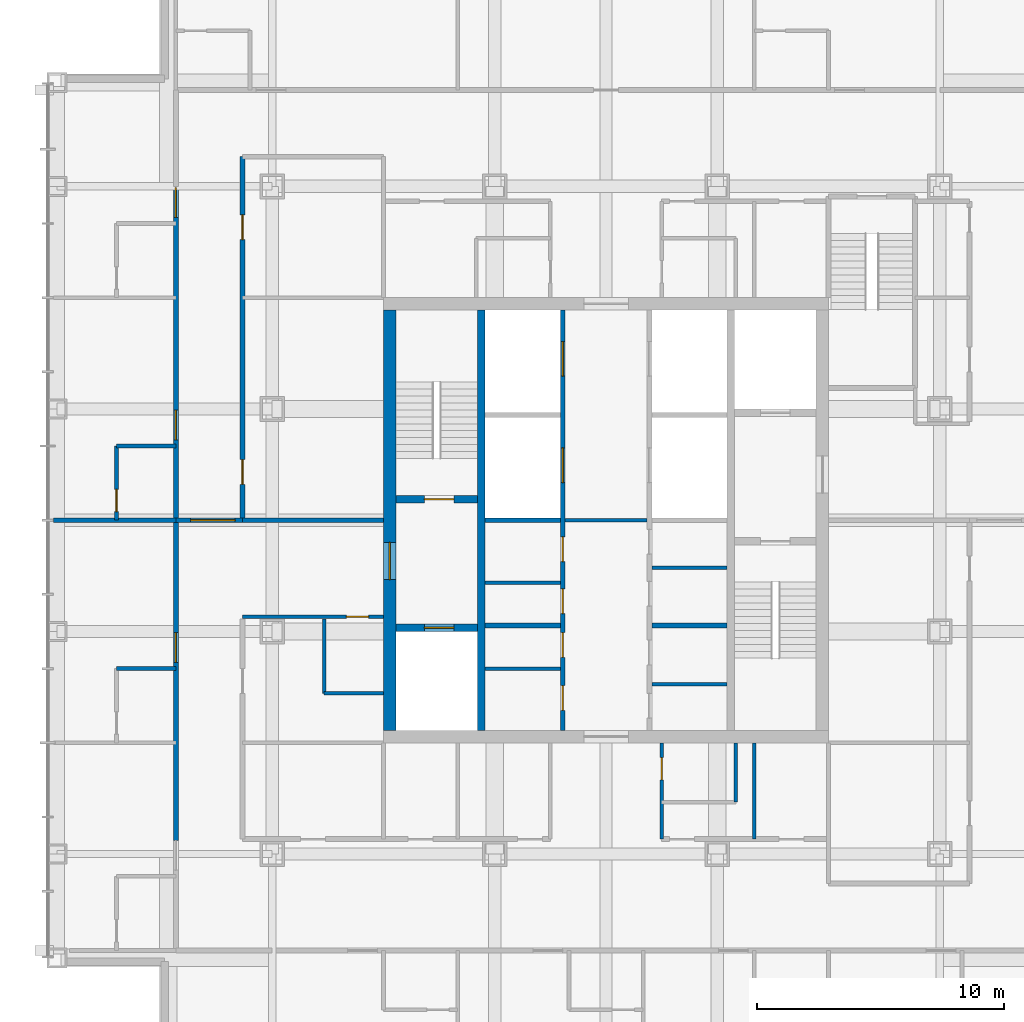
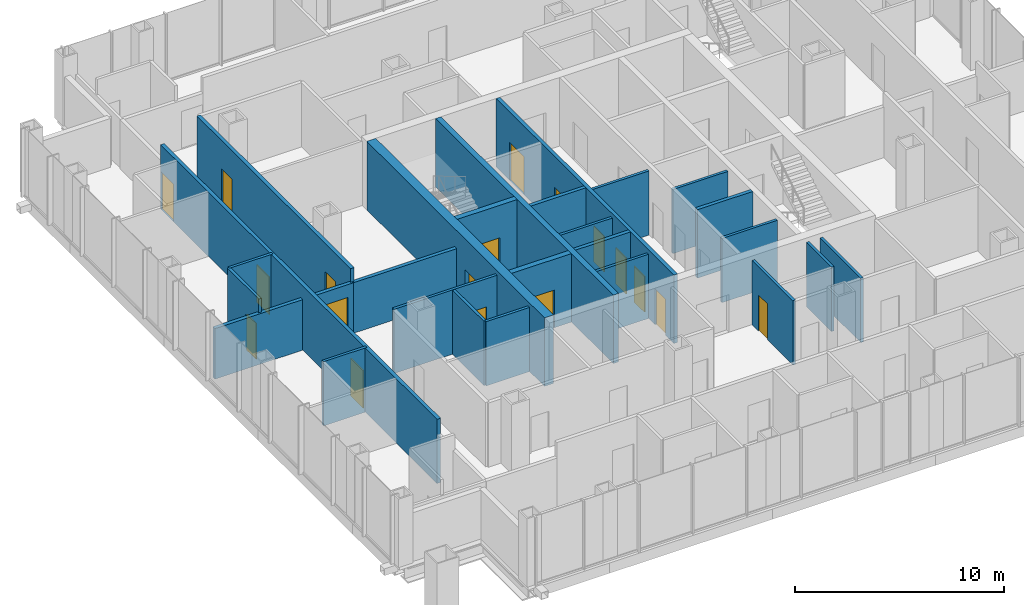
# One storey, part 7 of 11: 27 walls, 18 doors, 18 openings.
"""IFC4 building model written with IfcOpenShell, lengths in metres."""

from ifc_helpers import new_model, si_unit, direction, frame, frame_2d, origin, place, context, subcontext, project, spatial, rectangle, extrude, material, layer, layer_set, type_object, element, fill, save


model = new_model("IFC4")

# Units and contexts
model_context = context("Model", 3, precision=1e-05, world=origin(), true_north=direction((0.0, 1.0)))
body_context = subcontext(model_context, "Body", "Model", "MODEL_VIEW")
ifc_project = project(units=[si_unit("LENGTHUNIT", "METRE"), si_unit("AREAUNIT", "SQUARE_METRE"), si_unit("VOLUMEUNIT", "CUBIC_METRE"), si_unit("PLANEANGLEUNIT", "RADIAN"), si_unit("MASSUNIT", "GRAM", prefix="KILO")], contexts=[model_context])

# Site, building, storey
site_placement = place(None, origin())
site = spatial("IfcSite", under=ifc_project, at=site_placement, CompositionType="ELEMENT")
building_placement = place(site_placement, origin())
building = spatial("IfcBuilding", under=site, at=building_placement, Name="Malebo Sky Hospital", CompositionType="ELEMENT")
storey_placement = place(building_placement, frame((0.0, 0.0, 205.0)))
storey = spatial("IfcBuildingStorey", under=building, at=storey_placement, Name="L49", CompositionType="ELEMENT", Elevation=205.0)

# Wall, openings, doors
ifc_material_1 = material(Name="Concrete C80/95", Category="concrete")
ifc_layer_1 = layer(ifc_material_1, 0.199951171875)
ifc_layer_set_1 = layer_set([ifc_layer_1], Name="CORE INNER WALL 200")
wall_type_1 = type_object("IfcWallType", Name="CORE INNER WALL 200", PredefinedType="SHEAR", material=ifc_layer_set_1)
wall_1_placement = place(storey_placement, frame((58.25, 53.5, 0.0), z_axis=(0.0, 0.0, 1.0), x_axis=(0.0, 1.0, 0.0)))
wall_1 = element("IfcWall", 1, at=wall_1_placement, inside=storey, type_object=wall_type_1, Name="Core wall LW L49", PredefinedType="SHEAR", context=body_context, shape_type="SweptSolid", body=[
    extrude(rectangle(XDim=17.0, YDim=0.199951171875, at=frame_2d((8.5, 0.0))), origin(), (0.0, 0.0, 1.0), 4.0),
])
opening_1_placement = place(wall_1_placement, frame((0.8076171875, 0.0, 0.0)))
opening_1 = element("IfcOpeningElement", 2, at=opening_1_placement, cuts=wall_1, Name="Opening D17", PredefinedType="OPENING", context=body_context, shape_type="SweptSolid", body=[
    extrude(rectangle(XDim=1.0, YDim=2.10009765625, at=frame_2d((0.5, 1.050048828125))), frame((0.0, 0.10986328125, 0.0), z_axis=(0.0, -1.0, 0.0), x_axis=(1.0, 0.0, 0.0)), (0.0, 0.0, 1.0), 0.219970703125),
])
opening_2_placement = place(wall_1_placement, frame((2.95751953125, 0.0, 0.0)))
opening_2 = element("IfcOpeningElement", 3, at=opening_2_placement, cuts=wall_1, Name="Opening D17", PredefinedType="OPENING", context=body_context, shape_type="SweptSolid", body=[
    extrude(rectangle(XDim=1.0, YDim=2.10009765625, at=frame_2d((0.5, 1.050048828125))), frame((0.0, 0.10986328125, 0.0), z_axis=(0.0, -1.0, 0.0), x_axis=(1.0, 0.0, 0.0)), (0.0, 0.0, 1.0), 0.219970703125),
])
opening_3_placement = place(wall_1_placement, frame((4.722412109375, 0.0, 0.0)))
opening_3 = element("IfcOpeningElement", 4, at=opening_3_placement, cuts=wall_1, Name="Opening D17", PredefinedType="OPENING", context=body_context, shape_type="SweptSolid", body=[
    extrude(rectangle(XDim=1.0, YDim=2.10009765625, at=frame_2d((0.5, 1.050048828125))), frame((0.0, 0.10986328125, 0.0), z_axis=(0.0, -1.0, 0.0), x_axis=(1.0, 0.0, 0.0)), (0.0, 0.0, 1.0), 0.219970703125),
])
opening_4_placement = place(wall_1_placement, frame((6.822509765625, 0.0, 0.0)))
opening_4 = element("IfcOpeningElement", 5, at=opening_4_placement, cuts=wall_1, Name="Opening D17", PredefinedType="OPENING", context=body_context, shape_type="SweptSolid", body=[
    extrude(rectangle(XDim=1.0, YDim=2.10009765625, at=frame_2d((0.5, 1.050048828125))), frame((0.0, 0.10986328125, 0.0), z_axis=(0.0, -1.0, 0.0), x_axis=(1.0, 0.0, 0.0)), (0.0, 0.0, 1.0), 0.219970703125),
])
opening_5_placement = place(wall_1_placement, frame((10.02490234375, 0.0, 0.0)))
opening_5 = element("IfcOpeningElement", 6, at=opening_5_placement, cuts=wall_1, Name="Opening LD1", PredefinedType="OPENING", context=body_context, shape_type="SweptSolid", body=[
    extrude(rectangle(XDim=1.39990234375, YDim=2.199951171875, at=frame_2d((0.699951171875, 1.10009765625))), frame((0.0, 0.10986328125, 0.0), z_axis=(0.0, -1.0, 0.0), x_axis=(1.0, 0.0, 0.0)), (0.0, 0.0, 1.0), 0.219970703125),
])
opening_6_placement = place(wall_1_placement, frame((14.324951171875, 0.0, 0.0)))
opening_6 = element("IfcOpeningElement", 7, at=opening_6_placement, cuts=wall_1, Name="Opening LD1", PredefinedType="OPENING", context=body_context, shape_type="SweptSolid", body=[
    extrude(rectangle(XDim=1.39990234375, YDim=2.199951171875, at=frame_2d((0.699951171875, 1.10009765625))), frame((0.0, 0.10986328125, 0.0), z_axis=(0.0, -1.0, 0.0), x_axis=(1.0, 0.0, 0.0)), (0.0, 0.0, 1.0), 0.219970703125),
])
ifc_material_2 = material(Name="Hardwood-faced door leaf in steel frame", Category="steel")
door_type_1 = type_object("IfcDoorType", Name="FIRE DOOR 1000", OperationType="SINGLE_SWING_LEFT", PredefinedType="DOOR", material=ifc_material_2)
door_1_placement = place(opening_1_placement, origin())
door_1 = element("IfcDoor", 8, at=door_1_placement, inside=storey, type_object=door_type_1, Name="Records store door", OperationType="SINGLE_SWING_RIGHT", OverallHeight=2.10009765625, OverallWidth=1.0, PredefinedType="DOOR", context=body_context, shape_type="SweptSolid", body=[
    extrude(rectangle(XDim=1.0, YDim=2.10009765625, at=frame_2d((0.5, 1.050048828125))), frame((0.0, 0.02490234375, 0.0), z_axis=(0.0, -1.0, 0.0), x_axis=(1.0, 0.0, 0.0)), (0.0, 0.0, 1.0), 0.050048828125),
])
fill(opening_1, door_1)
door_2_placement = place(opening_2_placement, origin())
door_2 = element("IfcDoor", 9, at=door_2_placement, inside=storey, type_object=door_type_1, Name="Equipment store door", OperationType="SINGLE_SWING_RIGHT", OverallHeight=2.10009765625, OverallWidth=1.0, PredefinedType="DOOR", context=body_context, shape_type="SweptSolid", body=[
    extrude(rectangle(XDim=1.0, YDim=2.10009765625, at=frame_2d((0.5, 1.050048828125))), frame((0.0, 0.02490234375, 0.0), z_axis=(0.0, -1.0, 0.0), x_axis=(1.0, 0.0, 0.0)), (0.0, 0.0, 1.0), 0.050048828125),
])
fill(opening_2, door_2)
door_3_placement = place(opening_3_placement, origin())
door_3 = element("IfcDoor", 10, at=door_3_placement, inside=storey, type_object=door_type_1, Name="Linen store door", OperationType="SINGLE_SWING_RIGHT", OverallHeight=2.10009765625, OverallWidth=1.0, PredefinedType="DOOR", context=body_context, shape_type="SweptSolid", body=[
    extrude(rectangle(XDim=1.0, YDim=2.10009765625, at=frame_2d((0.5, 1.050048828125))), frame((0.0, 0.02490234375, 0.0), z_axis=(0.0, -1.0, 0.0), x_axis=(1.0, 0.0, 0.0)), (0.0, 0.0, 1.0), 0.050048828125),
])
fill(opening_3, door_3)
door_4_placement = place(opening_4_placement, origin())
door_4 = element("IfcDoor", 11, at=door_4_placement, inside=storey, type_object=door_type_1, Name="Supplies store door", OperationType="SINGLE_SWING_RIGHT", OverallHeight=2.10009765625, OverallWidth=1.0, PredefinedType="DOOR", context=body_context, shape_type="SweptSolid", body=[
    extrude(rectangle(XDim=1.0, YDim=2.10009765625, at=frame_2d((0.5, 1.050048828125))), frame((0.0, 0.02490234375, 0.0), z_axis=(0.0, -1.0, 0.0), x_axis=(1.0, 0.0, 0.0)), (0.0, 0.0, 1.0), 0.050048828125),
])
fill(opening_4, door_4)
ifc_material_3 = material(Name="Stainless steel sliding landing door", Category="steel")
door_type_2 = type_object("IfcDoorType", Name="LIFT LANDING DOOR 1400", OperationType="SLIDING_TO_LEFT", PredefinedType="DOOR", material=ifc_material_3)
door_5_placement = place(opening_5_placement, origin())
door_5 = element("IfcDoor", 12, at=door_5_placement, inside=storey, type_object=door_type_2, Name="Lift W3 landing door", OperationType="SLIDING_TO_LEFT", OverallHeight=2.199951171875, OverallWidth=1.39990234375, PredefinedType="DOOR", context=body_context, shape_type="SweptSolid", body=[
    extrude(rectangle(XDim=1.39990234375, YDim=2.199951171875, at=frame_2d((0.699951171875, 1.10009765625))), frame((0.0, 0.02490234375, 0.0), z_axis=(0.0, -1.0, 0.0), x_axis=(1.0, 0.0, 0.0)), (0.0, 0.0, 1.0), 0.050048828125),
])
fill(opening_5, door_5)
door_6_placement = place(opening_6_placement, origin())
door_6 = element("IfcDoor", 13, at=door_6_placement, inside=storey, type_object=door_type_2, Name="Lift W4 landing door", OperationType="SLIDING_TO_LEFT", OverallHeight=2.199951171875, OverallWidth=1.39990234375, PredefinedType="DOOR", context=body_context, shape_type="SweptSolid", body=[
    extrude(rectangle(XDim=1.39990234375, YDim=2.199951171875, at=frame_2d((0.699951171875, 1.10009765625))), frame((0.0, 0.02490234375, 0.0), z_axis=(0.0, -1.0, 0.0), x_axis=(1.0, 0.0, 0.0)), (0.0, 0.0, 1.0), 0.050048828125),
])
fill(opening_6, door_6)

# Walls
for number, where, z_axis, x_axis, name in (
    (14, (55.10009765625, 57.75, 0.0), (0.0, 0.0, 1.0), (1.0, 0.0, 0.0), "Core wall SW0 L49"),
    (15, (61.85009765625, 57.75, 0.0), (0.0, 0.0, 1.0), (1.0, 0.0, 0.0), "Core wall SE0 L49"),
    (16, (55.10009765625, 62.0, 0.0), (0.0, 0.0, 1.0), (1.0, 0.0, 0.0), "Core wall SW1 L49"),
):
    element("IfcWall", number, at=place(storey_placement, frame(where, z_axis=z_axis, x_axis=x_axis)), inside=storey, type_object=wall_type_1, Name=name, PredefinedType="SHEAR", context=body_context, shape_type="SweptSolid", body=[
        extrude(rectangle(XDim=3.0498046875, YDim=0.199951171875, at=frame_2d((1.52490234375, 0.0))), origin(), (0.0, 0.0, 1.0), 4.0),
    ])
ifc_layer_2 = layer(ifc_material_1, 0.300048828125)
ifc_layer_set_2 = layer_set([ifc_layer_2], Name="CORE INNER WALL 300")
wall_type_2 = type_object("IfcWallType", Name="CORE INNER WALL 300", PredefinedType="SHEAR", material=ifc_layer_set_2)
wall_2_placement = place(storey_placement, frame((54.949951171875, 53.5, 0.0), z_axis=(0.0, 0.0, 1.0), x_axis=(0.0, 1.0, 0.0)))
element("IfcWall", 17, at=wall_2_placement, inside=storey, type_object=wall_type_2, Name="Core wall XW L49", PredefinedType="SHEAR", context=body_context, shape_type="SweptSolid", body=[
    extrude(rectangle(XDim=17.0, YDim=0.300048828125, at=frame_2d((8.5, 0.0))), origin(), (0.0, 0.0, 1.0), 4.0),
])

# Wall, opening, door
wall_3_placement = place(storey_placement, frame((51.5, 62.85009765625, 0.0), z_axis=(0.0, 0.0, 1.0), x_axis=(1.0, 0.0, 0.0)))
wall_3 = element("IfcWall", 18, at=wall_3_placement, inside=storey, type_object=wall_type_2, Name="Core wall W1 L49", PredefinedType="SHEAR", context=body_context, shape_type="SweptSolid", body=[
    extrude(rectangle(XDim=3.300048828125, YDim=0.300048828125, at=frame_2d((1.64990234375, 0.0))), origin(), (0.0, 0.0, 1.0), 4.0),
])
opening_7_placement = place(wall_3_placement, frame((1.14990234375, 0.0, 0.0)))
opening_7 = element("IfcOpeningElement", 19, at=opening_7_placement, cuts=wall_3, Name="Opening D08", PredefinedType="OPENING", context=body_context, shape_type="SweptSolid", body=[
    extrude(rectangle(XDim=1.199951171875, YDim=2.10009765625, at=frame_2d((0.60009765625, 1.050048828125))), frame((0.0, 0.159912109375, 0.0), z_axis=(0.0, -1.0, 0.0), x_axis=(1.0, 0.0, 0.0)), (0.0, 0.0, 1.0), 0.320068359375),
])
door_type_3 = type_object("IfcDoorType", Name="STAIR DOOR 1200", OperationType="SINGLE_SWING_LEFT", PredefinedType="DOOR", material=ifc_material_2)
door_7_placement = place(opening_7_placement, origin())
door_7 = element("IfcDoor", 20, at=door_7_placement, inside=storey, type_object=door_type_3, Name="Stair S1 door", OperationType="SINGLE_SWING_RIGHT", OverallHeight=2.10009765625, OverallWidth=1.199951171875, PredefinedType="DOOR", context=body_context, shape_type="SweptSolid", body=[
    extrude(rectangle(XDim=1.199951171875, YDim=2.10009765625, at=frame_2d((0.60009765625, 1.050048828125))), frame((0.0, 0.02490234375, 0.0), z_axis=(0.0, -1.0, 0.0), x_axis=(1.0, 0.0, 0.0)), (0.0, 0.0, 1.0), 0.050048828125),
])
fill(opening_7, door_7)

wall_4_placement = place(storey_placement, frame((51.5, 57.64990234375, 0.0), z_axis=(0.0, 0.0, 1.0), x_axis=(1.0, 0.0, 0.0)))
wall_4 = element("IfcWall", 21, at=wall_4_placement, inside=storey, type_object=wall_type_2, Name="Core wall W2 L49", PredefinedType="SHEAR", context=body_context, shape_type="SweptSolid", body=[
    extrude(rectangle(XDim=3.300048828125, YDim=0.300048828125, at=frame_2d((1.64990234375, 0.0))), origin(), (0.0, 0.0, 1.0), 4.0),
])
opening_8_placement = place(wall_4_placement, frame((1.14990234375, 0.0, 0.0)))
opening_8 = element("IfcOpeningElement", 22, at=opening_8_placement, cuts=wall_4, Name="Opening LD2", PredefinedType="OPENING", context=body_context, shape_type="SweptSolid", body=[
    extrude(rectangle(XDim=1.199951171875, YDim=2.199951171875, at=frame_2d((0.60009765625, 1.10009765625))), frame((0.0, 0.159912109375, 0.0), z_axis=(0.0, -1.0, 0.0), x_axis=(1.0, 0.0, 0.0)), (0.0, 0.0, 1.0), 0.320068359375),
])
door_type_4 = type_object("IfcDoorType", Name="FIRE-FIGHTING LIFT LANDING DOOR 1200", OperationType="SLIDING_TO_LEFT", PredefinedType="DOOR", material=ifc_material_3)
door_8_placement = place(opening_8_placement, origin())
door_8 = element("IfcDoor", 23, at=door_8_placement, inside=storey, type_object=door_type_4, Name="Lift FL1 landing door", OperationType="SLIDING_TO_LEFT", OverallHeight=2.199951171875, OverallWidth=1.199951171875, PredefinedType="DOOR", context=body_context, shape_type="SweptSolid", body=[
    extrude(rectangle(XDim=1.199951171875, YDim=2.199951171875, at=frame_2d((0.60009765625, 1.10009765625))), frame((0.0, 0.02490234375, 0.0), z_axis=(0.0, -1.0, 0.0), x_axis=(1.0, 0.0, 0.0)), (0.0, 0.0, 1.0), 0.050048828125),
])
fill(opening_8, door_8)

ifc_layer_3 = layer(ifc_material_1, 0.5)
ifc_layer_set_3 = layer_set([ifc_layer_3], Name="CORE WALL 500")
wall_type_3 = type_object("IfcWallType", Name="CORE WALL 500", PredefinedType="SHEAR", material=ifc_layer_set_3)
wall_5_placement = place(storey_placement, frame((51.25, 53.5, 0.0), z_axis=(0.0, 0.0, 1.0), x_axis=(0.0, 1.0, 0.0)))
wall_5 = element("IfcWall", 24, at=wall_5_placement, inside=storey, type_object=wall_type_3, Name="Core wall W L49", PredefinedType="SHEAR", context=body_context, shape_type="SweptSolid", body=[
    extrude(rectangle(XDim=17.0, YDim=0.5, at=frame_2d((8.5, 0.0))), origin(), (0.0, 0.0, 1.0), 4.0),
])
opening_9_placement = place(wall_5_placement, frame((6.10009765625, 0.0, 0.0)))
opening_9 = element("IfcOpeningElement", 25, at=opening_9_placement, cuts=wall_5, Name="Opening D07", PredefinedType="OPENING", context=body_context, shape_type="SweptSolid", body=[
    extrude(rectangle(XDim=1.5, YDim=2.199951171875, at=frame_2d((0.75, 1.10009765625))), frame((0.0, 0.260009765625, 0.0), z_axis=(0.0, -1.0, 0.0), x_axis=(1.0, 0.0, 0.0)), (0.0, 0.0, 1.0), 0.52001953125),
])
door_type_5 = type_object("IfcDoorType", Name="FIRE-FIGHTING LOBBY DOOR PAIR 1500", OperationType="DOUBLE_DOOR_SINGLE_SWING", PredefinedType="DOOR", material=ifc_material_2)
door_9_placement = place(opening_9_placement, origin())
door_9 = element("IfcDoor", 26, at=door_9_placement, inside=storey, type_object=door_type_5, Name="Fire-fighting lobby door west", OperationType="DOUBLE_DOOR_SINGLE_SWING", OverallHeight=2.199951171875, OverallWidth=1.5, PredefinedType="DOOR", context=body_context, shape_type="SweptSolid", body=[
    extrude(rectangle(XDim=1.5, YDim=2.199951171875, at=frame_2d((0.75, 1.10009765625))), frame((0.0, 0.02490234375, 0.0), z_axis=(0.0, -1.0, 0.0), x_axis=(1.0, 0.0, 0.0)), (0.0, 0.0, 1.0), 0.050048828125),
])
fill(opening_9, door_9)

# Wall, openings, doors
ifc_material_4 = material(Name="Gypsum board on steel studs", Category="steel")
ifc_layer_4 = layer(ifc_material_4, 0.199951171875)
ifc_layer_set_4 = layer_set([ifc_layer_4], Name="CORRIDOR WALL 200")
wall_type_4 = type_object("IfcWallType", Name="CORRIDOR WALL 200", PredefinedType="PARTITIONING", material=ifc_layer_set_4)
wall_6_placement = place(storey_placement, frame((42.60009765625, 49.050048828125, 0.0), z_axis=(0.0, 0.0, 1.0), x_axis=(0.0, 1.0, 0.0)))
wall_6 = element("IfcWall", 27, at=wall_6_placement, inside=storey, type_object=wall_type_4, Name="Corridor Wall 200 WCO", PredefinedType="PARTITIONING", context=body_context, shape_type="SweptSolid", body=[
    extrude(rectangle(XDim=26.449951171875, YDim=0.199951171875, at=frame_2d((13.22509765625, 0.0))), origin(), (0.0, 0.0, 1.0), 3.75),
])
opening_10_placement = place(wall_6_placement, frame((7.199951171875, 0.0, 0.0)))
opening_10 = element("IfcOpeningElement", 28, at=opening_10_placement, cuts=wall_6, Name="Opening D01", PredefinedType="OPENING", context=body_context, shape_type="SweptSolid", body=[
    extrude(rectangle(XDim=1.199951171875, YDim=2.199951171875, at=frame_2d((0.60009765625, 1.10009765625))), frame((0.0, 0.10986328125, 0.0), z_axis=(0.0, -1.0, 0.0), x_axis=(1.0, 0.0, 0.0)), (0.0, 0.0, 1.0), 0.219970703125),
])
opening_11_placement = place(wall_6_placement, frame((16.199951171875, 0.0, 0.0)))
opening_11 = element("IfcOpeningElement", 29, at=opening_11_placement, cuts=wall_6, Name="Opening D01", PredefinedType="OPENING", context=body_context, shape_type="SweptSolid", body=[
    extrude(rectangle(XDim=1.199951171875, YDim=2.199951171875, at=frame_2d((0.60009765625, 1.10009765625))), frame((0.0, 0.10986328125, 0.0), z_axis=(0.0, -1.0, 0.0), x_axis=(1.0, 0.0, 0.0)), (0.0, 0.0, 1.0), 0.219970703125),
])
opening_12_placement = place(wall_6_placement, frame((25.199951171875, 0.0, 0.0)))
opening_12 = element("IfcOpeningElement", 30, at=opening_12_placement, cuts=wall_6, Name="Opening D01", PredefinedType="OPENING", context=body_context, shape_type="SweptSolid", body=[
    extrude(rectangle(XDim=1.199951171875, YDim=2.199951171875, at=frame_2d((0.60009765625, 1.10009765625))), frame((0.0, 0.10986328125, 0.0), z_axis=(0.0, -1.0, 0.0), x_axis=(1.0, 0.0, 0.0)), (0.0, 0.0, 1.0), 0.219970703125),
])
door_type_6 = type_object("IfcDoorType", Name="BED DOOR 1200", OperationType="SINGLE_SWING_LEFT", PredefinedType="DOOR", material=ifc_material_2)
door_10_placement = place(opening_10_placement, origin())
door_10 = element("IfcDoor", 31, at=door_10_placement, inside=storey, type_object=door_type_6, Name="Birthing room door", OperationType="SINGLE_SWING_LEFT", OverallHeight=2.199951171875, OverallWidth=1.199951171875, PredefinedType="DOOR", context=body_context, shape_type="SweptSolid", body=[
    extrude(rectangle(XDim=1.199951171875, YDim=2.199951171875, at=frame_2d((0.60009765625, 1.10009765625))), frame((0.0, 0.02490234375, 0.0), z_axis=(0.0, -1.0, 0.0), x_axis=(1.0, 0.0, 0.0)), (0.0, 0.0, 1.0), 0.050048828125),
])
fill(opening_10, door_10)
door_11_placement = place(opening_11_placement, origin())
door_11 = element("IfcDoor", 32, at=door_11_placement, inside=storey, type_object=door_type_6, Name="Birthing room door", OperationType="SINGLE_SWING_LEFT", OverallHeight=2.199951171875, OverallWidth=1.199951171875, PredefinedType="DOOR", context=body_context, shape_type="SweptSolid", body=[
    extrude(rectangle(XDim=1.199951171875, YDim=2.199951171875, at=frame_2d((0.60009765625, 1.10009765625))), frame((0.0, 0.02490234375, 0.0), z_axis=(0.0, -1.0, 0.0), x_axis=(1.0, 0.0, 0.0)), (0.0, 0.0, 1.0), 0.050048828125),
])
fill(opening_11, door_11)
door_12_placement = place(opening_12_placement, origin())
door_12 = element("IfcDoor", 33, at=door_12_placement, inside=storey, type_object=door_type_6, Name="Birthing room door", OperationType="SINGLE_SWING_LEFT", OverallHeight=2.199951171875, OverallWidth=1.199951171875, PredefinedType="DOOR", context=body_context, shape_type="SweptSolid", body=[
    extrude(rectangle(XDim=1.199951171875, YDim=2.199951171875, at=frame_2d((0.60009765625, 1.10009765625))), frame((0.0, 0.02490234375, 0.0), z_axis=(0.0, -1.0, 0.0), x_axis=(1.0, 0.0, 0.0)), (0.0, 0.0, 1.0), 0.050048828125),
])
fill(opening_12, door_12)

wall_7_placement = place(storey_placement, frame((45.300048828125, 62.0, 0.0), z_axis=(0.0, 0.0, 1.0), x_axis=(0.0, 1.0, 0.0)))
wall_7 = element("IfcWall", 34, at=wall_7_placement, inside=storey, type_object=wall_type_4, Name="Corridor Wall 200 WCI2", PredefinedType="PARTITIONING", context=body_context, shape_type="SweptSolid", body=[
    extrude(rectangle(XDim=14.699951171875, YDim=0.199951171875, at=frame_2d((7.35009765625, 0.0))), origin(), (0.0, 0.0, 1.0), 3.75),
])
opening_13_placement = place(wall_7_placement, frame((1.449951171875, 0.0, 0.0)))
opening_13 = element("IfcOpeningElement", 35, at=opening_13_placement, cuts=wall_7, Name="Opening D03", PredefinedType="OPENING", context=body_context, shape_type="SweptSolid", body=[
    extrude(rectangle(XDim=1.0, YDim=2.10009765625, at=frame_2d((0.5, 1.050048828125))), frame((0.0, 0.10986328125, 0.0), z_axis=(0.0, -1.0, 0.0), x_axis=(1.0, 0.0, 0.0)), (0.0, 0.0, 1.0), 0.219970703125),
])
opening_14_placement = place(wall_7_placement, frame((11.35009765625, 0.0, 0.0)))
opening_14 = element("IfcOpeningElement", 36, at=opening_14_placement, cuts=wall_7, Name="Opening D03", PredefinedType="OPENING", context=body_context, shape_type="SweptSolid", body=[
    extrude(rectangle(XDim=1.0, YDim=2.10009765625, at=frame_2d((0.5, 1.050048828125))), frame((0.0, 0.10986328125, 0.0), z_axis=(0.0, -1.0, 0.0), x_axis=(1.0, 0.0, 0.0)), (0.0, 0.0, 1.0), 0.219970703125),
])
door_type_7 = type_object("IfcDoorType", Name="ROOM DOOR 1000", OperationType="SINGLE_SWING_LEFT", PredefinedType="DOOR", material=ifc_material_2)
door_13_placement = place(opening_13_placement, origin())
door_13 = element("IfcDoor", 37, at=door_13_placement, inside=storey, type_object=door_type_7, Name="Nurse station door", OperationType="SINGLE_SWING_LEFT", OverallHeight=2.10009765625, OverallWidth=1.0, PredefinedType="DOOR", context=body_context, shape_type="SweptSolid", body=[
    extrude(rectangle(XDim=1.0, YDim=2.10009765625, at=frame_2d((0.5, 1.050048828125))), frame((0.0, 0.02490234375, 0.0), z_axis=(0.0, -1.0, 0.0), x_axis=(1.0, 0.0, 0.0)), (0.0, 0.0, 1.0), 0.050048828125),
])
fill(opening_13, door_13)
door_14_placement = place(opening_14_placement, origin())
door_14 = element("IfcDoor", 38, at=door_14_placement, inside=storey, type_object=door_type_7, Name="Midwives' base door", OperationType="SINGLE_SWING_RIGHT", OverallHeight=2.10009765625, OverallWidth=1.0, PredefinedType="DOOR", context=body_context, shape_type="SweptSolid", body=[
    extrude(rectangle(XDim=1.0, YDim=2.10009765625, at=frame_2d((0.5, 1.050048828125))), frame((0.0, 0.02490234375, 0.0), z_axis=(0.0, -1.0, 0.0), x_axis=(1.0, 0.0, 0.0)), (0.0, 0.0, 1.0), 0.050048828125),
])
fill(opening_14, door_14)

# Wall
ifc_layer_5 = layer(ifc_material_4, 0.14990234375)
ifc_layer_set_5 = layer_set([ifc_layer_5], Name="PARTITION 150")
wall_type_5 = type_object("IfcWallType", Name="PARTITION 150", PredefinedType="PARTITIONING", material=ifc_layer_set_5)
wall_8_placement = place(storey_placement, frame((42.60009765625, 56.0, 0.0), z_axis=(0.0, 0.0, 1.0), x_axis=(-1.0, 0.0, 0.0)))
element("IfcWall", 39, at=wall_8_placement, inside=storey, type_object=wall_type_5, Name="Partition 150 WE1S", PredefinedType="PARTITIONING", context=body_context, shape_type="SweptSolid", body=[
    extrude(rectangle(XDim=2.400146484375, YDim=0.14990234375, at=frame_2d((1.2001953125, 0.0))), origin(), (0.0, 0.0, 1.0), 3.75),
])

# Wall, opening, door
wall_9_placement = place(storey_placement, frame((40.199951171875, 62.0, 0.0), z_axis=(0.0, 0.0, 1.0), x_axis=(0.0, 1.0, 0.0)))
wall_9 = element("IfcWall", 40, at=wall_9_placement, inside=storey, type_object=wall_type_5, Name="Partition 150 WE2F", PredefinedType="PARTITIONING", context=body_context, shape_type="SweptSolid", body=[
    extrude(rectangle(XDim=3.0, YDim=0.14990234375, at=frame_2d((1.5, 0.0))), origin(), (0.0, 0.0, 1.0), 3.75),
])
opening_15_placement = place(wall_9_placement, frame((0.35009765625, 0.0, 0.0)))
opening_15 = element("IfcOpeningElement", 41, at=opening_15_placement, cuts=wall_9, Name="Opening D02", PredefinedType="OPENING", context=body_context, shape_type="SweptSolid", body=[
    extrude(rectangle(XDim=0.89990234375, YDim=2.10009765625, at=frame_2d((0.449951171875, 1.050048828125))), frame((0.0, 0.0849609375, 0.0), z_axis=(0.0, -1.0, 0.0), x_axis=(1.0, 0.0, 0.0)), (0.0, 0.0, 1.0), 0.169921875),
])
door_type_8 = type_object("IfcDoorType", Name="EN-SUITE DOOR 900", OperationType="SINGLE_SWING_LEFT", PredefinedType="DOOR", material=ifc_material_2)
door_15_placement = place(opening_15_placement, origin())
door_15 = element("IfcDoor", 42, at=door_15_placement, inside=storey, type_object=door_type_8, Name="En-suite door", OperationType="SINGLE_SWING_LEFT", OverallHeight=2.10009765625, OverallWidth=0.89990234375, PredefinedType="DOOR", context=body_context, shape_type="SweptSolid", body=[
    extrude(rectangle(XDim=0.89990234375, YDim=2.10009765625, at=frame_2d((0.449951171875, 1.050048828125))), frame((0.0, 0.02490234375, 0.0), z_axis=(0.0, -1.0, 0.0), x_axis=(1.0, 0.0, 0.0)), (0.0, 0.0, 1.0), 0.050048828125),
])
fill(opening_15, door_15)

# Wall
wall_10_placement = place(storey_placement, frame((42.60009765625, 65.0, 0.0), z_axis=(0.0, 0.0, 1.0), x_axis=(-1.0, 0.0, 0.0)))
element("IfcWall", 43, at=wall_10_placement, inside=storey, type_object=wall_type_5, Name="Partition 150 WE2S", PredefinedType="PARTITIONING", context=body_context, shape_type="SweptSolid", body=[
    extrude(rectangle(XDim=2.400146484375, YDim=0.14990234375, at=frame_2d((1.2001953125, 0.0))), origin(), (0.0, 0.0, 1.0), 3.75),
])

# Wall, opening, door
wall_11_placement = place(storey_placement, frame((51.0, 58.10009765625, 0.0), z_axis=(0.0, 0.0, 1.0), x_axis=(-1.0, 0.0, 0.0)))
wall_11 = element("IfcWall", 44, at=wall_11_placement, inside=storey, type_object=wall_type_5, Name="Partition 150 WSPA", PredefinedType="PARTITIONING", context=body_context, shape_type="SweptSolid", body=[
    extrude(rectangle(XDim=5.699951171875, YDim=0.14990234375, at=frame_2d((2.85009765625, 0.0))), origin(), (0.0, 0.0, 1.0), 3.75),
])
opening_16_placement = place(wall_11_placement, frame((0.60009765625, 0.0, 0.0)))
opening_16 = element("IfcOpeningElement", 45, at=opening_16_placement, cuts=wall_11, Name="Opening D04", PredefinedType="OPENING", context=body_context, shape_type="SweptSolid", body=[
    extrude(rectangle(XDim=0.89990234375, YDim=2.10009765625, at=frame_2d((0.449951171875, 1.050048828125))), frame((0.0, 0.0849609375, 0.0), z_axis=(0.0, -1.0, 0.0), x_axis=(1.0, 0.0, 0.0)), (0.0, 0.0, 1.0), 0.169921875),
])
door_type_9 = type_object("IfcDoorType", Name="ROOM DOOR 900", OperationType="SINGLE_SWING_LEFT", PredefinedType="DOOR", material=ifc_material_2)
door_16_placement = place(opening_16_placement, origin())
door_16 = element("IfcDoor", 46, at=door_16_placement, inside=storey, type_object=door_type_9, Name="Cleaner's room door", OperationType="SINGLE_SWING_LEFT", OverallHeight=2.10009765625, OverallWidth=0.89990234375, PredefinedType="DOOR", context=body_context, shape_type="SweptSolid", body=[
    extrude(rectangle(XDim=0.89990234375, YDim=2.10009765625, at=frame_2d((0.449951171875, 1.050048828125))), frame((0.0, 0.02490234375, 0.0), z_axis=(0.0, -1.0, 0.0), x_axis=(1.0, 0.0, 0.0)), (0.0, 0.0, 1.0), 0.050048828125),
])
fill(opening_16, door_16)

# Walls
wall_12_placement = place(storey_placement, frame((48.60009765625, 55.0, 0.0), z_axis=(0.0, 0.0, 1.0), x_axis=(0.0, 1.0, 0.0)))
element("IfcWall", 47, at=wall_12_placement, inside=storey, type_object=wall_type_5, Name="Partition 150 WSX0", PredefinedType="PARTITIONING", context=body_context, shape_type="SweptSolid", body=[
    extrude(rectangle(XDim=3.0, YDim=0.14990234375, at=frame_2d((1.5, 0.0))), origin(), (0.0, 0.0, 1.0), 3.75),
])
wall_13_placement = place(storey_placement, frame((51.0, 55.0, 0.0), z_axis=(0.0, 0.0, 1.0), x_axis=(-1.0, 0.0, 0.0)))
element("IfcWall", 48, at=wall_13_placement, inside=storey, type_object=wall_type_5, Name="Partition 150 WSY0", PredefinedType="PARTITIONING", context=body_context, shape_type="SweptSolid", body=[
    extrude(rectangle(XDim=2.39990234375, YDim=0.14990234375, at=frame_2d((1.199951171875, 0.0))), origin(), (0.0, 0.0, 1.0), 3.75),
])

# Wall, opening, door
wall_14_placement = place(storey_placement, frame((62.25, 53.0, 0.0), z_axis=(0.0, 0.0, 1.0), x_axis=(0.0, -1.0, 0.0)))
wall_14 = element("IfcWall", 49, at=wall_14_placement, inside=storey, type_object=wall_type_5, Name="Partition 150 SSPA", PredefinedType="PARTITIONING", context=body_context, shape_type="SweptSolid", body=[
    extrude(rectangle(XDim=3.89990234375, YDim=0.14990234375, at=frame_2d((1.949951171875, 0.0))), origin(), (0.0, 0.0, 1.0), 3.75),
])
opening_17_placement = place(wall_14_placement, frame((0.60009765625, 0.0, 0.0)))
opening_17 = element("IfcOpeningElement", 50, at=opening_17_placement, cuts=wall_14, Name="Opening D04", PredefinedType="OPENING", context=body_context, shape_type="SweptSolid", body=[
    extrude(rectangle(XDim=0.89990234375, YDim=2.10009765625, at=frame_2d((0.449951171875, 1.050048828125))), frame((0.0, 0.0849609375, 0.0), z_axis=(0.0, -1.0, 0.0), x_axis=(1.0, 0.0, 0.0)), (0.0, 0.0, 1.0), 0.169921875),
])
door_17_placement = place(opening_17_placement, origin())
door_17 = element("IfcDoor", 51, at=door_17_placement, inside=storey, type_object=door_type_9, Name="Visitor WC door", OperationType="SINGLE_SWING_LEFT", OverallHeight=2.10009765625, OverallWidth=0.89990234375, PredefinedType="DOOR", context=body_context, shape_type="SweptSolid", body=[
    extrude(rectangle(XDim=0.89990234375, YDim=2.10009765625, at=frame_2d((0.449951171875, 1.050048828125))), frame((0.0, 0.02490234375, 0.0), z_axis=(0.0, -1.0, 0.0), x_axis=(1.0, 0.0, 0.0)), (0.0, 0.0, 1.0), 0.050048828125),
])
fill(opening_17, door_17)

# Walls
wall_15_placement = place(storey_placement, frame((66.0, 53.0, 0.0), z_axis=(0.0, 0.0, 1.0), x_axis=(0.0, -1.0, 0.0)))
element("IfcWall", 52, at=wall_15_placement, inside=storey, type_object=wall_type_5, Name="Partition 150 SSP-6.0", PredefinedType="PARTITIONING", context=body_context, shape_type="SweptSolid", body=[
    extrude(rectangle(XDim=3.89990234375, YDim=0.14990234375, at=frame_2d((1.949951171875, 0.0))), origin(), (0.0, 0.0, 1.0), 3.75),
])
wall_16_placement = place(storey_placement, frame((65.25, 53.0, 0.0), z_axis=(0.0, 0.0, 1.0), x_axis=(0.0, -1.0, 0.0)))
element("IfcWall", 53, at=wall_16_placement, inside=storey, type_object=wall_type_5, Name="Partition 150 SSY1", PredefinedType="PARTITIONING", context=body_context, shape_type="SweptSolid", body=[
    extrude(rectangle(XDim=2.39990234375, YDim=0.14990234375, at=frame_2d((1.199951171875, 0.0))), origin(), (0.0, 0.0, 1.0), 3.75),
])
for number, where, z_axis, x_axis, name in (
    (54, (55.10009765625, 55.989990234375, 0.0), (0.0, 0.0, 1.0), (1.0, 0.0, 0.0), "Partition 150 SHW1"),
    (55, (61.85009765625, 55.366943359375, 0.0), (0.0, 0.0, 1.0), (1.0, 0.0, 0.0), "Partition 150 SHE1"),
    (56, (55.10009765625, 59.469970703125, 0.0), (0.0, 0.0, 1.0), (1.0, 0.0, 0.0), "Partition 150 SHW2"),
    (57, (61.85009765625, 60.077880859375, 0.0), (0.0, 0.0, 1.0), (1.0, 0.0, 0.0), "Partition 150 SHE2"),
):
    element("IfcWall", number, at=place(storey_placement, frame(where, z_axis=z_axis, x_axis=x_axis)), inside=storey, type_object=wall_type_5, Name=name, PredefinedType="PARTITIONING", context=body_context, shape_type="SweptSolid", body=[
        extrude(rectangle(XDim=3.0498046875, YDim=0.14990234375, at=frame_2d((1.52490234375, 0.0))), origin(), (0.0, 0.0, 1.0), 3.75),
    ])
wall_17_placement = place(storey_placement, frame((58.35009765625, 62.0, 0.0), z_axis=(0.0, 0.0, 1.0), x_axis=(1.0, 0.0, 0.0)))
element("IfcWall", 58, at=wall_17_placement, inside=storey, type_object=wall_type_5, Name="Partition 150 LBS", PredefinedType="PARTITIONING", context=body_context, shape_type="SweptSolid", body=[
    extrude(rectangle(XDim=3.2998046875, YDim=0.14990234375, at=frame_2d((1.64990234375, 0.0))), origin(), (0.0, 0.0, 1.0), 3.75),
])
ifc_material_5 = material(Name="Concrete blockwork", Category="masonry")
ifc_layer_6 = layer(ifc_material_5, 0.199951171875)
ifc_layer_set_6 = layer_set([ifc_layer_6], Name="SMOKE BARRIER WALL 200")
wall_type_6 = type_object("IfcWallType", Name="SMOKE BARRIER WALL 200", PredefinedType="SOLIDWALL", material=ifc_layer_set_6)
wall_18_placement = place(storey_placement, frame((42.60009765625, 62.0, 0.0), z_axis=(0.0, 0.0, 1.0), x_axis=(-1.0, 0.0, 0.0)))
element("IfcWall", 59, at=wall_18_placement, inside=storey, type_object=wall_type_6, Name="Smoke Barrier Wall 200 WP+0.0", PredefinedType="SOLIDWALL", context=body_context, shape_type="SweptSolid", body=[
    extrude(rectangle(XDim=4.9501953125, YDim=0.199951171875, at=frame_2d((2.47509765625, 0.0))), origin(), (0.0, 0.0, 1.0), 2.949951171875),
])
wall_19_placement = place(storey_placement, frame((51.0, 62.0, 0.0), z_axis=(0.0, 0.0, 1.0), x_axis=(-1.0, 0.0, 0.0)))
element("IfcWall", 60, at=wall_19_placement, inside=storey, type_object=wall_type_6, Name="Smoke Barrier Wall 200 WSPB", PredefinedType="SOLIDWALL", context=body_context, shape_type="SweptSolid", body=[
    extrude(rectangle(XDim=5.699951171875, YDim=0.199951171875, at=frame_2d((2.85009765625, 0.0))), origin(), (0.0, 0.0, 1.0), 2.949951171875),
])

# Wall, opening, door
wall_20_placement = place(storey_placement, frame((45.300048828125, 62.0, 0.0), z_axis=(0.0, 0.0, 1.0), x_axis=(-1.0, 0.0, 0.0)))
wall_20 = element("IfcWall", 61, at=wall_20_placement, inside=storey, type_object=wall_type_6, Name="Smoke Barrier Wall 200 WSB", PredefinedType="SOLIDWALL", context=body_context, shape_type="SweptSolid", body=[
    extrude(rectangle(XDim=2.699951171875, YDim=0.199951171875, at=frame_2d((1.35009765625, 0.0))), origin(), (0.0, 0.0, 1.0), 2.949951171875),
])
opening_18_placement = place(wall_20_placement, frame((0.300048828125, 0.0, 0.0)))
opening_18 = element("IfcOpeningElement", 62, at=opening_18_placement, cuts=wall_20, Name="Opening D05", PredefinedType="OPENING", context=body_context, shape_type="SweptSolid", body=[
    extrude(rectangle(XDim=1.800048828125, YDim=2.199951171875, at=frame_2d((0.89990234375, 1.10009765625))), frame((0.0, 0.10986328125, 0.0), z_axis=(0.0, -1.0, 0.0), x_axis=(1.0, 0.0, 0.0)), (0.0, 0.0, 1.0), 0.219970703125),
])
door_type_10 = type_object("IfcDoorType", Name="SMOKE DOOR PAIR 1800", OperationType="DOUBLE_DOOR_DOUBLE_SWING", PredefinedType="DOOR", material=ifc_material_2)
door_18_placement = place(opening_18_placement, origin())
door_18 = element("IfcDoor", 63, at=door_18_placement, inside=storey, type_object=door_type_10, Name="Smoke compartment door pair", OperationType="DOUBLE_DOOR_DOUBLE_SWING", OverallHeight=2.199951171875, OverallWidth=1.800048828125, PredefinedType="DOOR", context=body_context, shape_type="SweptSolid", body=[
    extrude(rectangle(XDim=1.800048828125, YDim=2.199951171875, at=frame_2d((0.89990234375, 1.10009765625))), frame((0.0, 0.02490234375, 0.0), z_axis=(0.0, -1.0, 0.0), x_axis=(1.0, 0.0, 0.0)), (0.0, 0.0, 1.0), 0.050048828125),
])
fill(opening_18, door_18)

save(model, "model.ifc")
